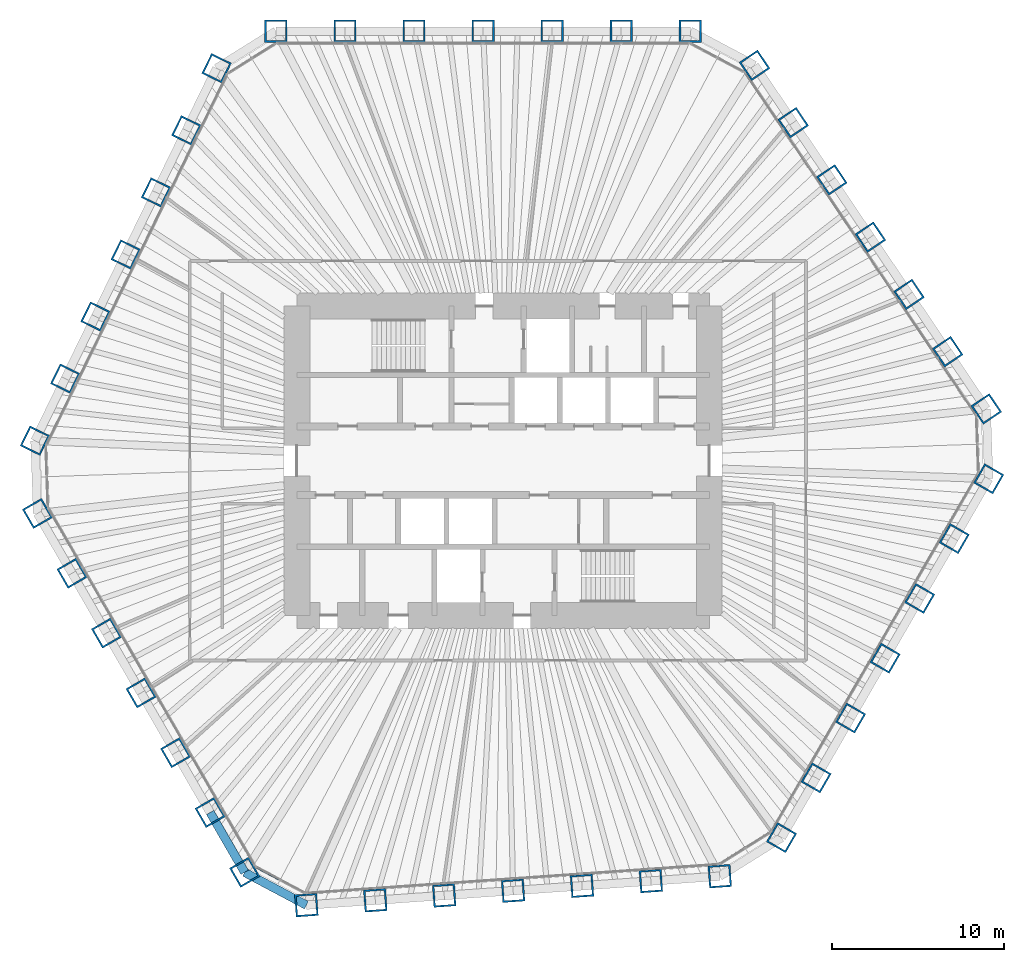
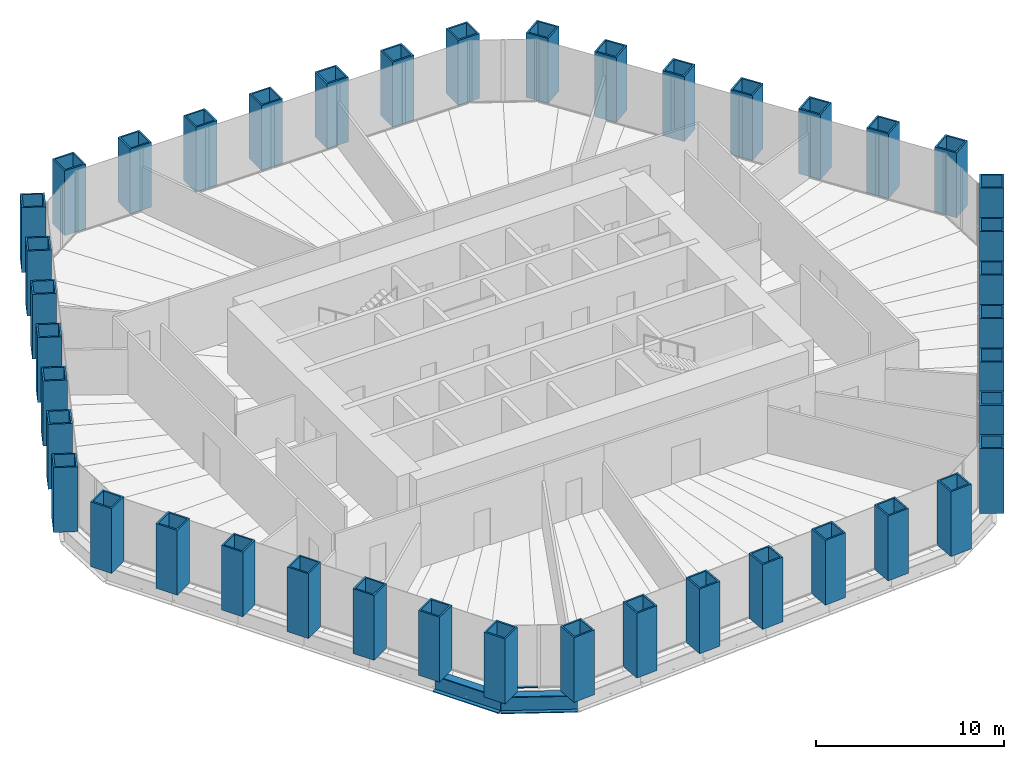
# One storey, part 1 of 13: 42 columns, 2 beams, 1 member, 1 element without a shape of its own.
"""IFC4 building model written with IfcOpenShell, lengths in metres."""

import ifcopenshell
import ifcopenshell.guid

model = None  # the IFC model being written
_history = None  # IfcOwnerHistory: only IFC2X3 demands one
_inside = {}  # id of a spatial element -> (the spatial element, [elements in it])
_under = {}  # id of a project, library or spatial element -> (it, [spatial elements below it])
_declared = {}  # id of a project -> (the project, [libraries it declares])
_typed = {}  # id of a type object -> (the type object, [elements of that type])
_made_of = {}  # id of a material, layer set ... -> (it, [elements and type objects made of it])


def new_model(schema):
    """Start an empty IFC model of exactly this schema.

    Asked for "IFC4X3", IfcOpenShell would pick the latest addendum, in which some entities
    have other attributes; the version numbers below select the first issue.
    IFC2X3 requires an IfcOwnerHistory on every rooted entity: one is made here for all.
    """
    global model, _history
    if schema == "IFC4X3":
        model = ifcopenshell.file(schema_version=(4, 3, 0, 0))
    else:
        model = ifcopenshell.file(schema=schema)
    _inside.clear()
    _under.clear()
    _declared.clear()
    _typed.clear()
    _made_of.clear()
    _history = None
    if model.schema == "IFC2X3":
        org = make("IfcOrganization", Name="unknown")
        user = make(
            "IfcPersonAndOrganization",
            ThePerson=make("IfcPerson", FamilyName="unknown"),
            TheOrganization=org,
        )
        app = make(
            "IfcApplication",
            ApplicationDeveloper=org,
            Version="unknown",
            ApplicationFullName="unknown",
            ApplicationIdentifier="unknown",
        )
        _history = make(
            "IfcOwnerHistory",
            OwningUser=user,
            OwningApplication=app,
            ChangeAction="ADDED",
            CreationDate=0,
        )
    return model


def make(cls, **values):
    """One entity of the class cls with the attributes given. An attribute that is None is left unset."""
    return model.create_entity(
        cls, **{name: value for name, value in values.items() if value is not None}
    )


def rooted(cls, **values):
    """An entity with a GlobalId (a new one), such as an element, a storey or a relation."""
    return make(cls, GlobalId=ifcopenshell.guid.new(), OwnerHistory=_history, **values)


def si_unit(unit_type, name, prefix=None):
    """IfcSIUnit, for example si_unit("LENGTHUNIT", "METRE", prefix="MILLI")."""
    return make("IfcSIUnit", UnitType=unit_type, Prefix=prefix, Name=name)


def assignment(units):
    """IfcUnitAssignment: the units of a project."""
    return None if units is None else make("IfcUnitAssignment", Units=units)


def point(xyz):
    """IfcCartesianPoint."""
    return None if xyz is None else make("IfcCartesianPoint", Coordinates=xyz)


def direction(xyz):
    """IfcDirection."""
    return None if xyz is None else make("IfcDirection", DirectionRatios=xyz)


def frame(location, z_axis=None, x_axis=None):
    """IfcAxis2Placement3D, a coordinate frame: its origin and axes. An axis left out is left unset."""
    return make(
        "IfcAxis2Placement3D",
        Location=point(location),
        Axis=direction(z_axis),
        RefDirection=direction(x_axis),
    )


def frame_2d(location, x_axis=None):
    """IfcAxis2Placement2D, a coordinate frame in the plane: its origin and x axis."""
    return make(
        "IfcAxis2Placement2D", Location=point(location), RefDirection=direction(x_axis)
    )


def origin():
    """The frame at (0, 0, 0) with its axes left unset."""
    return frame((0.0, 0.0, 0.0))


def origin_2d():
    """The frame at (0, 0) in the plane with its x axis left unset."""
    return frame_2d((0.0, 0.0))


def place(relative_to, where):
    """IfcLocalPlacement: puts the frame where relative to a parent placement (None: the world)."""
    return make(
        "IfcLocalPlacement", PlacementRelTo=relative_to, RelativePlacement=where
    )


def context(
    kind, dimensions, precision=None, world=None, true_north=None, identifier=None
):
    """IfcGeometricRepresentationContext, for example the 3D "Model" context."""
    return make(
        "IfcGeometricRepresentationContext",
        ContextIdentifier=identifier,
        ContextType=kind,
        CoordinateSpaceDimension=dimensions,
        Precision=precision,
        WorldCoordinateSystem=world,
        TrueNorth=true_north,
    )


def subcontext(parent, identifier, kind, view, scale=None):
    """IfcGeometricRepresentationSubContext, for example "Body" below "Model"."""
    return make(
        "IfcGeometricRepresentationSubContext",
        ContextIdentifier=identifier,
        ContextType=kind,
        ParentContext=parent,
        TargetScale=scale,
        TargetView=view,
    )


def project(units=None, contexts=None):
    """IfcProject with its units and contexts."""
    return rooted(
        "IfcProject",
        Name="project",
        RepresentationContexts=contexts,
        UnitsInContext=assignment(units),
    )


def spatial(cls, under=None, at=None, **own):
    """A site, building, storey or space (cls), placed at a placement, below another one or the project."""
    s = rooted(cls, ObjectPlacement=at, **own)
    if under is not None:
        _under.setdefault(under.id(), (under, []))[1].append(s)
    return s


def profile(cls, at=None, kind="AREA", **sizes):
    """A parametric profile (cls). Its sizes go by their IFC names, for example OverallWidth=200.0."""
    return make(cls, ProfileType=kind, Position=at, **sizes)


def rectangle(**sizes):
    """IfcRectangleProfileDef."""
    return profile("IfcRectangleProfileDef", **sizes)


def hollow_rectangle(**sizes):
    """IfcRectangleHollowProfileDef."""
    return profile("IfcRectangleHollowProfileDef", **sizes)


def i_section(**sizes):
    """IfcIShapeProfileDef."""
    return profile("IfcIShapeProfileDef", **sizes)


def extrude(swept, where, along, depth):
    """IfcExtrudedAreaSolid: the profile swept, set in the frame where, extruded along a direction by depth."""
    return make(
        "IfcExtrudedAreaSolid",
        SweptArea=swept,
        Position=where,
        ExtrudedDirection=direction(along),
        Depth=depth,
    )


def shape(context_of_items, identifier, shape_type, items):
    """IfcShapeRepresentation: the items that make up one representation, for example the "Body"."""
    return make(
        "IfcShapeRepresentation",
        ContextOfItems=context_of_items,
        RepresentationIdentifier=identifier,
        RepresentationType=shape_type,
        Items=items,
    )


def material(Name=None, Category=None):
    """IfcMaterial."""
    return make("IfcMaterial", Name=Name, Category=Category)


def material_profile(
    of_material, cross_section, Name=None, Category=None, Priority=None
):
    """IfcMaterialProfile: a cross section and its material."""
    return make(
        "IfcMaterialProfile",
        Name=Name,
        Material=of_material,
        Profile=cross_section,
        Priority=Priority,
        Category=Category,
    )


def profile_set(profiles, Name=None, composite=None):
    """IfcMaterialProfileSet."""
    return make(
        "IfcMaterialProfileSet",
        Name=Name,
        MaterialProfiles=profiles,
        CompositeProfile=composite,
    )


def made_of(thing, what):
    """Note that an element or type object is made of a material, layer set ...; save() writes the relation."""
    if what is not None:
        _made_of.setdefault(what.id(), (what, []))[1].append(thing)
    return thing


def type_object(cls, material=None, **own):
    """A type object (cls), such as IfcWallType, which elements share."""
    return made_of(rooted(cls, **own), material)


def element(
    cls,
    number,
    at=None,
    inside=None,
    cuts=None,
    type_object=None,
    material=None,
    context=None,
    identifier="Body",
    shape_type=None,
    held_by="IfcProductDefinitionShape",
    body=None,
    shapes=None,
    **own,
):
    """One element of the class cls, such as IfcWall. Its Tag is "e" and its number.

    at: its placement. inside: the storey or other place that contains it. cuts: it is an
    opening in that element (IfcRelVoidsElement). A single representation is given by context,
    identifier, shape_type and body (its items); several are given by shapes. held_by: the class
    of the entity that holds the representations. save() writes the other relations.
    """
    e = rooted(cls, Tag="e%d" % number, ObjectPlacement=at, **own)
    if body is not None:
        shapes = [shape(context, identifier, shape_type, body)]
    if shapes is not None:
        e.Representation = make(held_by, Representations=shapes)
    if inside is not None:
        _inside.setdefault(inside.id(), (inside, []))[1].append(e)
    if cuts is not None:
        rooted(
            "IfcRelVoidsElement", RelatingBuildingElement=cuts, RelatedOpeningElement=e
        )
    if type_object is not None:
        _typed.setdefault(type_object.id(), (type_object, []))[1].append(e)
    return made_of(e, material)


def aggregate(whole, parts):
    """IfcRelAggregates: a whole, such as a stair, and the parts it consists of."""
    return rooted("IfcRelAggregates", RelatingObject=whole, RelatedObjects=parts)


def save(model, path):
    """Write the relations noted so far, then the file.

    IfcRelAggregates (storeys below a building ...), IfcRelContainedInSpatialStructure (elements
    in a storey), IfcRelDefinesByType, IfcRelAssociatesMaterial and IfcRelDeclares: one each for
    every whole, place, type object, material and project.
    """
    for whole, parts in _under.values():
        aggregate(whole, parts)
    for where, things in _inside.values():
        rooted(
            "IfcRelContainedInSpatialStructure",
            RelatedElements=things,
            RelatingStructure=where,
        )
    for kind, things in _typed.values():
        rooted("IfcRelDefinesByType", RelatedObjects=things, RelatingType=kind)
    for what, things in _made_of.values():
        rooted("IfcRelAssociatesMaterial", RelatedObjects=things, RelatingMaterial=what)
    for by, libraries in _declared.values():
        rooted("IfcRelDeclares", RelatingContext=by, RelatedDefinitions=libraries)
    model.write(path)


model = new_model("IFC4")

# Units and contexts
model_context = context("Model", 3, precision=1e-05, world=origin(), true_north=direction((0.0, 1.0)))
body_context = subcontext(model_context, "Body", "Model", "MODEL_VIEW")
ifc_project = project(units=[si_unit("LENGTHUNIT", "METRE"), si_unit("AREAUNIT", "SQUARE_METRE"), si_unit("VOLUMEUNIT", "CUBIC_METRE"), si_unit("PLANEANGLEUNIT", "RADIAN"), si_unit("MASSUNIT", "GRAM", prefix="KILO")], contexts=[model_context])

# Site, building, storey
site_placement = place(None, origin())
site = spatial("IfcSite", under=ifc_project, at=site_placement, CompositionType="ELEMENT")
building_placement = place(site_placement, origin())
building = spatial("IfcBuilding", under=site, at=building_placement, Name="Qingtian Harvest Tower", CompositionType="ELEMENT")
storey_placement = place(building_placement, frame((0.0, 0.0, 166.0)))
storey = spatial("IfcBuildingStorey", under=building, at=storey_placement, Name="L35", CompositionType="ELEMENT", Elevation=166.0)

# Columns
ifc_material_1 = material(Name="Steel SM570MC", Category="steel")
ifc_material_profile_1 = material_profile(ifc_material_1, hollow_rectangle(XDim=1.300048828125, YDim=1.300048828125, WallThickness=0.10009765625, at=origin_2d()), Name="BOX1300x1300x100")
ifc_profile_set_1 = profile_set([ifc_material_profile_1], Name="Steel SM570MC")
column_type = type_object("IfcColumnType", Name="Tube column TC4 BOX1300x1300x100", PredefinedType="COLUMN", material=ifc_profile_set_1)
for number, where, z_axis, x_axis, name in (
    (1, (-13.2216796875, 25.0, 0.0), (0.0, 0.0, 1.0), (-1.0, 0.0, 0.0), "Tube column TC4 N0"),
    (2, (-9.20263671875, 25.0, 0.0), (0.0, 0.0, 1.0), (-1.0, 0.0, 0.0), "Tube column TC4 N1"),
    (3, (-5.18359375, 25.0, 0.0), (0.0, 0.0, 1.0), (-1.0, 0.0, 0.0), "Tube column TC4 N2"),
    (4, (-1.16455078125, 25.0, 0.0), (0.0, 0.0, 1.0), (-1.0, 0.0, 0.0), "Tube column TC4 N3"),
    (5, (2.8544921875, 25.0, 0.0), (0.0, 0.0, 1.0), (-1.0, 0.0, 0.0), "Tube column TC4 N4"),
    (6, (6.873779296875, 25.0, 0.0), (0.0, 0.0, 1.0), (-1.0, 0.0, 0.0), "Tube column TC4 N5"),
    (7, (10.892822265625, 25.0, 0.0), (0.0, 0.0, 1.0), (-1.0, 0.0, 0.0), "Tube column TC4 N6"),
    (8, (14.634765625, 23.01025390625, 0.0), (0.0, 0.0, 1.0), (-0.559192903471, 0.829037572555, 0.0), "Tube column TC4 NE0"),
    (9, (16.88232421875, 19.67822265625, 0.0), (0.0, 0.0, 1.0), (-0.559192903471, 0.829037572555, 0.0), "Tube column TC4 NE1"),
    (10, (19.129638671875, 16.346435546875, 0.0), (0.0, 0.0, 1.0), (-0.559192903471, 0.829037572555, 0.0), "Tube column TC4 NE2"),
    (11, (21.377197265625, 13.014404296875, 0.0), (0.0, 0.0, 1.0), (-0.559192903471, 0.829037572555, 0.0), "Tube column TC4 NE3"),
    (12, (23.62451171875, 9.682373046875, 0.0), (0.0, 0.0, 1.0), (-0.559192903471, 0.829037572555, 0.0), "Tube column TC4 NE4"),
    (13, (25.8720703125, 6.3505859375, 0.0), (0.0, 0.0, 1.0), (-0.559192903471, 0.829037572555, 0.0), "Tube column TC4 NE5"),
    (14, (28.119384765625, 3.0185546875, 0.0), (0.0, 0.0, 1.0), (-0.559192903471, 0.829037572555, 0.0), "Tube column TC4 NE6"),
    (15, (28.261474609375, -1.049560546875, 0.0), (0.0, 0.0, 1.0), (0.5, 0.866025403784, 0.0), "Tube column TC4 SE0"),
    (16, (26.251953125, -4.5302734375, 0.0), (0.0, 0.0, 1.0), (0.5, 0.866025403784, 0.0), "Tube column TC4 SE1"),
    (17, (24.242431640625, -8.010986328125, 0.0), (0.0, 0.0, 1.0), (0.5, 0.866025403784, 0.0), "Tube column TC4 SE2"),
    (18, (22.23291015625, -11.491455078125, 0.0), (0.0, 0.0, 1.0), (0.5, 0.866025403784, 0.0), "Tube column TC4 SE3"),
    (19, (20.223388671875, -14.97216796875, 0.0), (0.0, 0.0, 1.0), (0.5, 0.866025403784, 0.0), "Tube column TC4 SE4"),
    (20, (18.2138671875, -18.452880859375, 0.0), (0.0, 0.0, 1.0), (0.5, 0.866025403784, 0.0), "Tube column TC4 SE5"),
    (21, (16.204345703125, -21.933349609375, 0.0), (0.0, 0.0, 1.0), (0.5, 0.866025403784, 0.0), "Tube column TC4 SE6"),
    (22, (12.610107421875, -24.17919921875, 0.0), (0.0, 0.0, 1.0), (0.99756405026, 0.069756473744, 0.0), "Tube column TC4 S0"),
    (23, (8.600830078125, -24.459716796875, 0.0), (0.0, 0.0, 1.0), (0.99756405026, 0.069756473744, 0.0), "Tube column TC4 S1"),
    (24, (4.591552734375, -24.739990234375, 0.0), (0.0, 0.0, 1.0), (0.99756405026, 0.069756473744, 0.0), "Tube column TC4 S2"),
    (25, (0.582275390625, -25.020263671875, 0.0), (0.0, 0.0, 1.0), (0.99756405026, 0.069756473744, 0.0), "Tube column TC4 S3"),
    (26, (-3.427001953125, -25.30078125, 0.0), (0.0, 0.0, 1.0), (0.99756405026, 0.069756473744, 0.0), "Tube column TC4 S4"),
    (27, (-7.436279296875, -25.5810546875, 0.0), (0.0, 0.0, 1.0), (0.99756405026, 0.069756473744, 0.0), "Tube column TC4 S5"),
    (28, (-11.445556640625, -25.861328125, 0.0), (0.0, 0.0, 1.0), (0.99756405026, 0.069756473744, 0.0), "Tube column TC4 S6"),
    (29, (-15.039794921875, -23.950439453125, 0.0), (0.0, 0.0, 1.0), (0.5, -0.866025403784, 0.0), "Tube column TC4 SW0"),
    (30, (-17.04931640625, -20.4697265625, 0.0), (0.0, 0.0, 1.0), (0.5, -0.866025403784, 0.0), "Tube column TC4 SW1"),
    (31, (-19.058837890625, -16.989013671875, 0.0), (0.0, 0.0, 1.0), (0.5, -0.866025403784, 0.0), "Tube column TC4 SW2"),
    (32, (-21.068359375, -13.508544921875, 0.0), (0.0, 0.0, 1.0), (0.5, -0.866025403784, 0.0), "Tube column TC4 SW3"),
    (33, (-23.077880859375, -10.02783203125, 0.0), (0.0, 0.0, 1.0), (0.5, -0.866025403784, 0.0), "Tube column TC4 SW4"),
    (34, (-25.08740234375, -6.547119140625, 0.0), (0.0, 0.0, 1.0), (0.5, -0.866025403784, 0.0), "Tube column TC4 SW5"),
    (35, (-27.096923828125, -3.066650390625, 0.0), (0.0, 0.0, 1.0), (0.5, -0.866025403784, 0.0), "Tube column TC4 SW6"),
    (36, (-27.244873046875, 1.1689453125, 0.0), (0.0, 0.0, 1.0), (-0.438371146789, -0.898794046299, 0.0), "Tube column TC4 NW0"),
    (37, (-25.483154296875, 4.78125, 0.0), (0.0, 0.0, 1.0), (-0.438371146789, -0.898794046299, 0.0), "Tube column TC4 NW1"),
    (38, (-23.72119140625, 8.3935546875, 0.0), (0.0, 0.0, 1.0), (-0.438371146789, -0.898794046299, 0.0), "Tube column TC4 NW2"),
    (39, (-21.95947265625, 12.005859375, 0.0), (0.0, 0.0, 1.0), (-0.438371146789, -0.898794046299, 0.0), "Tube column TC4 NW3"),
    (40, (-20.197509765625, 15.6181640625, 0.0), (0.0, 0.0, 1.0), (-0.438371146789, -0.898794046299, 0.0), "Tube column TC4 NW4"),
    (41, (-18.435791015625, 19.23046875, 0.0), (0.0, 0.0, 1.0), (-0.438371146789, -0.898794046299, 0.0), "Tube column TC4 NW5"),
    (42, (-16.673828125, 22.8427734375, 0.0), (0.0, 0.0, 1.0), (-0.438371146789, -0.898794046299, 0.0), "Tube column TC4 NW6"),
):
    element("IfcColumn", number, at=place(storey_placement, frame(where, z_axis=z_axis, x_axis=x_axis)), inside=storey, type_object=column_type, Name=name, PredefinedType="COLUMN", context=body_context, shape_type="SweptSolid", body=[
        extrude(hollow_rectangle(XDim=1.300048828125, YDim=1.300048828125, WallThickness=0.10009765625, at=origin_2d()), origin(), (0.0, 0.0, 1.0), 4.199951171875),
    ])

# Beams
ifc_material_2 = material(Name="Steel SM570MC", Category="steel")
ifc_material_profile_2 = material_profile(ifc_material_2, i_section(OverallWidth=0.5, OverallDepth=1.10009765625, WebThickness=0.02490234375, FlangeThickness=0.050048828125, at=origin_2d()), Name="H1100x500x25x50")
ifc_profile_set_2 = profile_set([ifc_material_profile_2], Name="Steel SM570MC")
beam_type = type_object("IfcBeamType", Name="Spandrel beam SB2 H1100x500x25x50", PredefinedType="SPANDREL", material=ifc_profile_set_2)
beam_1_placement = place(storey_placement, frame((-11.445556640625, -25.861328125, -0.550048828125), z_axis=(-0.882968133669, 0.469432929101, 0.0), x_axis=(-0.469432929101, -0.882968133669, 0.0)))
element("IfcBeam", 43, at=beam_1_placement, inside=storey, type_object=beam_type, Name="Spandrel SB2 SC", PredefinedType="SPANDREL", context=body_context, shape_type="SweptSolid", body=[
    extrude(i_section(OverallWidth=0.5, OverallDepth=1.10009765625, WebThickness=0.02490234375, FlangeThickness=0.050048828125, at=origin_2d()), origin(), (0.0, 0.0, 1.0), 4.070556640625),
])
beam_2_placement = place(storey_placement, frame((-15.039794921875, -23.950439453125, -0.550048828125), z_axis=(-0.499987116613, 0.866032841884, 0.0), x_axis=(-0.866032841884, -0.499987116613, 0.0)))
element("IfcBeam", 44, at=beam_2_placement, inside=storey, type_object=beam_type, Name="Spandrel SB2 SW0", PredefinedType="SPANDREL", context=body_context, shape_type="SweptSolid", body=[
    extrude(i_section(OverallWidth=0.5, OverallDepth=1.10009765625, WebThickness=0.02490234375, FlangeThickness=0.050048828125, at=origin_2d()), origin(), (0.0, 0.0, 1.0), 4.01904296875),
])

# Curtain wall, member
ifc_material_3 = material(Name="Bronze-anodised aluminium curtain wall", Category="aluminium")
curtain_wall_type = type_object("IfcCurtainWallType", Name="Curtain wall CW4 office", PredefinedType="USERDEFINED", material=ifc_material_3)
curtain_wall_placement = place(storey_placement, origin())
curtain_wall = element("IfcCurtainWall", 45, at=curtain_wall_placement, inside=storey, type_object=curtain_wall_type, Name="Curtain wall CW4 L35 SC", ObjectType="RECESSED CURTAIN WALL", PredefinedType="USERDEFINED")
ifc_material_4 = material(Name="Bronze-anodised aluminium transom", Category="aluminium")
ifc_material_profile_3 = material_profile(ifc_material_4, rectangle(XDim=0.14990234375, YDim=0.06494140625, at=origin_2d()), Name="AL 65x150")
ifc_profile_set_3 = profile_set([ifc_material_profile_3], Name="Bronze-anodised aluminium transom")
member_type = type_object("IfcMemberType", Name="Transom CWT 65x150", PredefinedType="USERDEFINED", material=ifc_profile_set_3)
member_placement = place(storey_placement, frame((-12.99267578125, -24.366455078125, 0.032470703125), z_axis=(-0.882960338349, 0.46944759122, 0.0), x_axis=(-0.46944759122, -0.882960338349, 0.0)))
member = element("IfcMember", 46, at=member_placement, type_object=member_type, Name="CW4 transom 2.1", ObjectType="TRANSOM", PredefinedType="USERDEFINED", context=body_context, shape_type="SweptSolid", body=[
    extrude(rectangle(XDim=0.14990234375, YDim=0.06494140625, at=origin_2d()), origin(), (0.0, 0.0, 1.0), 1.56689453125),
])
aggregate(curtain_wall, [member])

save(model, "model.ifc")
